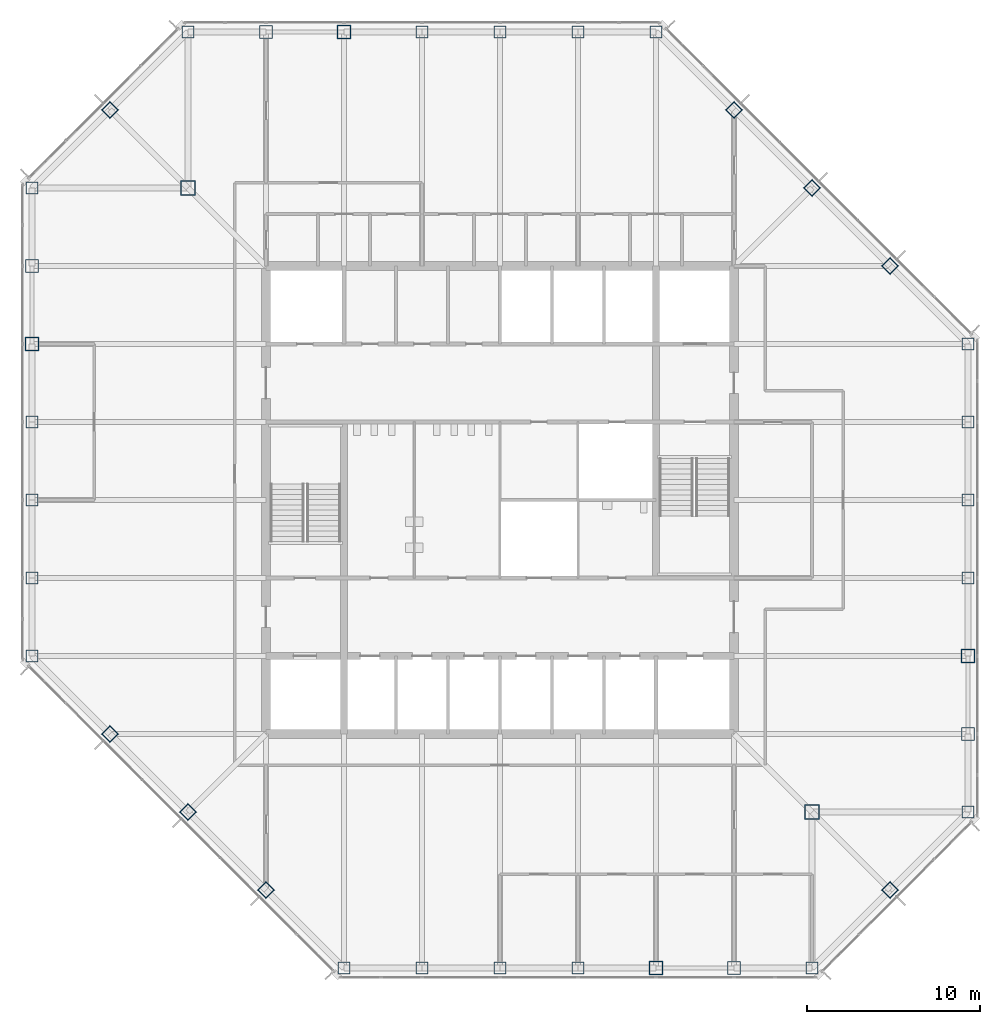
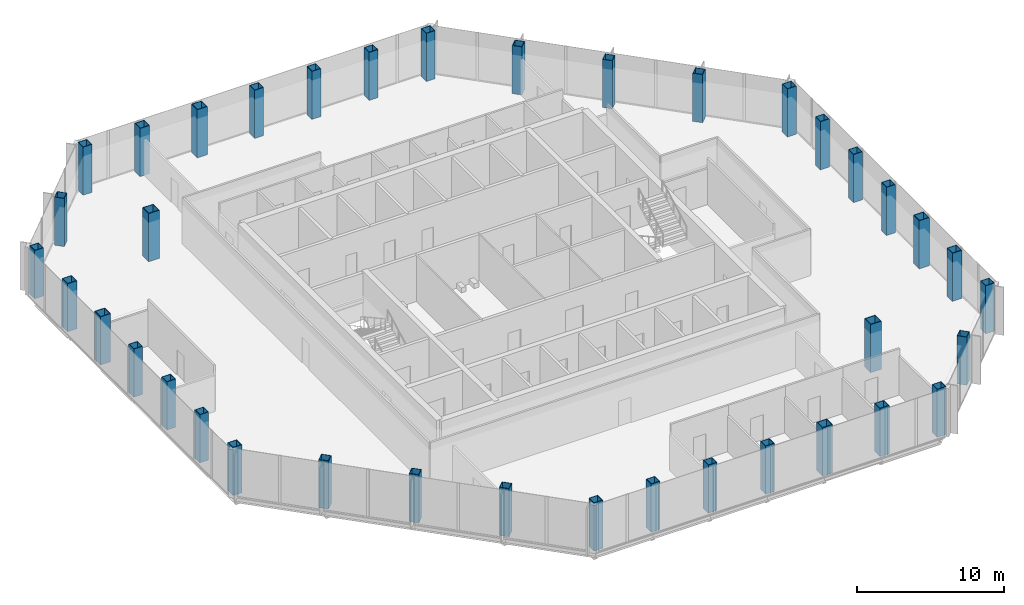
# One storey, part 1 of 12: 38 columns.
"""IFC4 building model written with IfcOpenShell, lengths in metres."""

from ifc_helpers import new_model, si_unit, direction, frame, origin, origin_2d, place, context, subcontext, project, spatial, hollow_rectangle, extrude, material, material_profile, profile_set, type_object, element, save


model = new_model("IFC4")

# Units and contexts
model_context = context("Model", 3, precision=1e-05, world=origin(), true_north=direction((0.0, 1.0)))
body_context = subcontext(model_context, "Body", "Model", "MODEL_VIEW")
ifc_project = project(units=[si_unit("LENGTHUNIT", "METRE"), si_unit("AREAUNIT", "SQUARE_METRE"), si_unit("VOLUMEUNIT", "CUBIC_METRE"), si_unit("PLANEANGLEUNIT", "RADIAN"), si_unit("MASSUNIT", "GRAM", prefix="KILO")], contexts=[model_context])

# Site, building, storey
site_placement = place(None, origin())
site = spatial("IfcSite", under=ifc_project, at=site_placement, CompositionType="ELEMENT")
building_placement = place(site_placement, origin())
building = spatial("IfcBuilding", under=site, at=building_placement, Name="Corais Broadcast Tower", CompositionType="ELEMENT")
storey_placement = place(building_placement, frame((0.0, 0.0, 159.60009765625)))
storey = spatial("IfcBuildingStorey", under=building, at=storey_placement, Name="L36", CompositionType="ELEMENT", Elevation=159.60009765625)

# Columns
ifc_material_1 = material(Name="Steel ASTM A572 Grade 50", Category="steel")
ifc_material_profile_1 = material_profile(ifc_material_1, hollow_rectangle(XDim=0.699951171875, YDim=0.699951171875, WallThickness=0.035888671875, at=origin_2d()), Name="BOX 700x700x36")
ifc_profile_set_1 = profile_set([ifc_material_profile_1], Name="Steel ASTM A572 Grade 50")
column_type_1 = type_object("IfcColumnType", Name="Column BOX 700x700x36", PredefinedType="COLUMN", material=ifc_profile_set_1)
for number, where, z_axis, x_axis, name in (
    (1, (18.0, 0.0, 0.0), (0.0, 0.0, 1.0), (1.0, 0.0, 0.0), "C5 A/7"),
    (2, (22.5, 0.0, 0.0), (0.0, 0.0, 1.0), (1.0, 0.0, 0.0), "C5 A/8"),
    (3, (27.0, 0.0, 0.0), (0.0, 0.0, 1.0), (1.0, 0.0, 0.0), "C5 A/9"),
    (4, (31.5, 0.0, 0.0), (0.0, 0.0, 1.0), (1.0, 0.0, 0.0), "C5 A/10"),
    (5, (45.0, 0.0, 0.0), (0.0, 0.0, 1.0), (1.0, 0.0, 0.0), "C5 A/13"),
    (6, (54.0, 9.0, 0.0), (0.0, 0.0, 1.0), (1.0, 0.0, 0.0), "C5 C/15"),
    (7, (54.0, 22.5, 0.0), (0.0, 0.0, 1.0), (1.0, 0.0, 0.0), "C5 F/15"),
    (8, (54.0, 27.0, 0.0), (0.0, 0.0, 1.0), (1.0, 0.0, 0.0), "C5 G/15"),
    (9, (54.0, 31.5, 0.0), (0.0, 0.0, 1.0), (1.0, 0.0, 0.0), "C5 H/15"),
    (10, (54.0, 36.0, 0.0), (0.0, 0.0, 1.0), (1.0, 0.0, 0.0), "C5 J/15"),
    (11, (36.0, 54.0, 0.0), (0.0, 0.0, 1.0), (1.0, 0.0, 0.0), "C5 N/11"),
    (12, (31.5, 54.0, 0.0), (0.0, 0.0, 1.0), (1.0, 0.0, 0.0), "C5 N/10"),
    (13, (27.0, 54.0, 0.0), (0.0, 0.0, 1.0), (1.0, 0.0, 0.0), "C5 N/9"),
    (14, (22.5, 54.0, 0.0), (0.0, 0.0, 1.0), (1.0, 0.0, 0.0), "C5 N/8"),
    (15, (9.0, 54.0, 0.0), (0.0, 0.0, 1.0), (1.0, 0.0, 0.0), "C5 N/5"),
    (16, (0.0, 45.0, 0.0), (0.0, 0.0, 1.0), (1.0, 0.0, 0.0), "C5 L/3"),
    (17, (0.0, 31.5, 0.0), (0.0, 0.0, 1.0), (1.0, 0.0, 0.0), "C5 H/3"),
    (18, (0.0, 27.0, 0.0), (0.0, 0.0, 1.0), (1.0, 0.0, 0.0), "C5 G/3"),
    (19, (0.0, 22.5, 0.0), (0.0, 0.0, 1.0), (1.0, 0.0, 0.0), "C5 F/3"),
    (20, (0.0, 18.0, 0.0), (0.0, 0.0, 1.0), (1.0, 0.0, 0.0), "C5 E/3"),
    (21, (13.5, 4.5, 0.0), (0.0, 0.0, 1.0), (0.707106781187, 0.707106781187, 0.0), "C5 B/6"),
    (22, (9.0, 9.0, 0.0), (0.0, 0.0, 1.0), (0.707106781187, 0.707106781187, 0.0), "C5 C/5"),
    (23, (4.5, 13.5, 0.0), (0.0, 0.0, 1.0), (0.707106781187, 0.707106781187, 0.0), "C5 D/4"),
    (24, (49.5, 4.5, 0.0), (0.0, 0.0, 1.0), (0.707106781187, 0.707106781187, 0.0), "C5 B/14"),
    (25, (49.5, 40.5, 0.0), (0.0, 0.0, 1.0), (0.707106781187, 0.707106781187, 0.0), "C5 K/14"),
    (26, (45.0, 45.0, 0.0), (0.0, 0.0, 1.0), (0.707106781187, 0.707106781187, 0.0), "C5 L/13"),
    (27, (40.5, 49.5, 0.0), (0.0, 0.0, 1.0), (0.707106781187, 0.707106781187, 0.0), "C5 M/12"),
    (28, (4.5, 49.5, 0.0), (0.0, 0.0, 1.0), (0.707106781187, 0.707106781187, 0.0), "C5 M/4"),
):
    element("IfcColumn", number, at=place(storey_placement, frame(where, z_axis=z_axis, x_axis=x_axis)), inside=storey, type_object=column_type_1, Name=name, PredefinedType="COLUMN", context=body_context, shape_type="SweptSolid", body=[
        extrude(hollow_rectangle(XDim=0.699951171875, YDim=0.699951171875, WallThickness=0.035888671875, at=origin_2d()), origin(), (0.0, 0.0, 1.0), 4.0),
    ])
ifc_material_2 = material(Name="Steel ASTM A572 Grade 50", Category="steel")
ifc_material_profile_2 = material_profile(ifc_material_2, hollow_rectangle(XDim=0.75, YDim=0.75, WallThickness=0.0400390625, at=origin_2d()), Name="BOX 750x750x40")
ifc_profile_set_2 = profile_set([ifc_material_profile_2], Name="Steel ASTM A572 Grade 50")
column_type_2 = type_object("IfcColumnType", Name="Column BOX 750x750x40", PredefinedType="COLUMN", material=ifc_profile_set_2)
for number, where, z_axis, x_axis, name in (
    (29, (40.5, 0.0, 0.0), (0.0, 0.0, 1.0), (1.0, 0.0, 0.0), "C4 A/12"),
    (30, (54.0, 13.5, 0.0), (0.0, 0.0, 1.0), (1.0, 0.0, 0.0), "C4 D/15"),
    (31, (13.5, 54.0, 0.0), (0.0, 0.0, 1.0), (1.0, 0.0, 0.0), "C4 N/6"),
    (32, (0.0, 40.5, 0.0), (0.0, 0.0, 1.0), (1.0, 0.0, 0.0), "C4 K/3"),
):
    element("IfcColumn", number, at=place(storey_placement, frame(where, z_axis=z_axis, x_axis=x_axis)), inside=storey, type_object=column_type_2, Name=name, PredefinedType="COLUMN", context=body_context, shape_type="SweptSolid", body=[
        extrude(hollow_rectangle(XDim=0.75, YDim=0.75, WallThickness=0.0400390625, at=origin_2d()), origin(), (0.0, 0.0, 1.0), 4.0),
    ])
ifc_material_3 = material(Name="Steel ASTM A572 Grade 50", Category="steel")
ifc_material_profile_3 = material_profile(ifc_material_3, hollow_rectangle(XDim=0.800048828125, YDim=0.800048828125, WallThickness=0.044921875, at=origin_2d()), Name="BOX 800x800x45")
ifc_profile_set_3 = profile_set([ifc_material_profile_3], Name="Steel ASTM A572 Grade 50")
column_type_3 = type_object("IfcColumnType", Name="Column BOX 800x800x45", PredefinedType="COLUMN", material=ifc_profile_set_3)
for number, where, z_axis, x_axis, name in (
    (33, (36.0, 0.0, 0.0), (0.0, 0.0, 1.0), (1.0, 0.0, 0.0), "C3 A/11"),
    (34, (54.0, 18.0, 0.0), (0.0, 0.0, 1.0), (1.0, 0.0, 0.0), "C3 E/15"),
    (35, (18.0, 54.0, 0.0), (0.0, 0.0, 1.0), (1.0, 0.0, 0.0), "C3 N/7"),
    (36, (0.0, 36.0, 0.0), (0.0, 0.0, 1.0), (1.0, 0.0, 0.0), "C3 J/3"),
):
    element("IfcColumn", number, at=place(storey_placement, frame(where, z_axis=z_axis, x_axis=x_axis)), inside=storey, type_object=column_type_3, Name=name, PredefinedType="COLUMN", context=body_context, shape_type="SweptSolid", body=[
        extrude(hollow_rectangle(XDim=0.800048828125, YDim=0.800048828125, WallThickness=0.044921875, at=origin_2d()), origin(), (0.0, 0.0, 1.0), 4.0),
    ])
ifc_material_4 = material(Name="Steel ASTM A572 Grade 50", Category="steel")
ifc_material_profile_4 = material_profile(ifc_material_4, hollow_rectangle(XDim=0.85009765625, YDim=0.85009765625, WallThickness=0.050048828125, at=origin_2d()), Name="BOX 850x850x50")
ifc_profile_set_4 = profile_set([ifc_material_profile_4], Name="Steel ASTM A572 Grade 50")
column_type_4 = type_object("IfcColumnType", Name="Column BOX 850x850x50", PredefinedType="COLUMN", material=ifc_profile_set_4)
for number, where, z_axis, x_axis, name in (
    (37, (45.0, 9.0, 0.0), (0.0, 0.0, 1.0), (1.0, 0.0, 0.0), "C1 C/13"),
    (38, (9.0, 45.0, 0.0), (0.0, 0.0, 1.0), (1.0, 0.0, 0.0), "C1 L/5"),
):
    element("IfcColumn", number, at=place(storey_placement, frame(where, z_axis=z_axis, x_axis=x_axis)), inside=storey, type_object=column_type_4, Name=name, PredefinedType="COLUMN", context=body_context, shape_type="SweptSolid", body=[
        extrude(hollow_rectangle(XDim=0.85009765625, YDim=0.85009765625, WallThickness=0.050048828125, at=origin_2d()), origin(), (0.0, 0.0, 1.0), 4.0),
    ])

save(model, "model.ifc")
